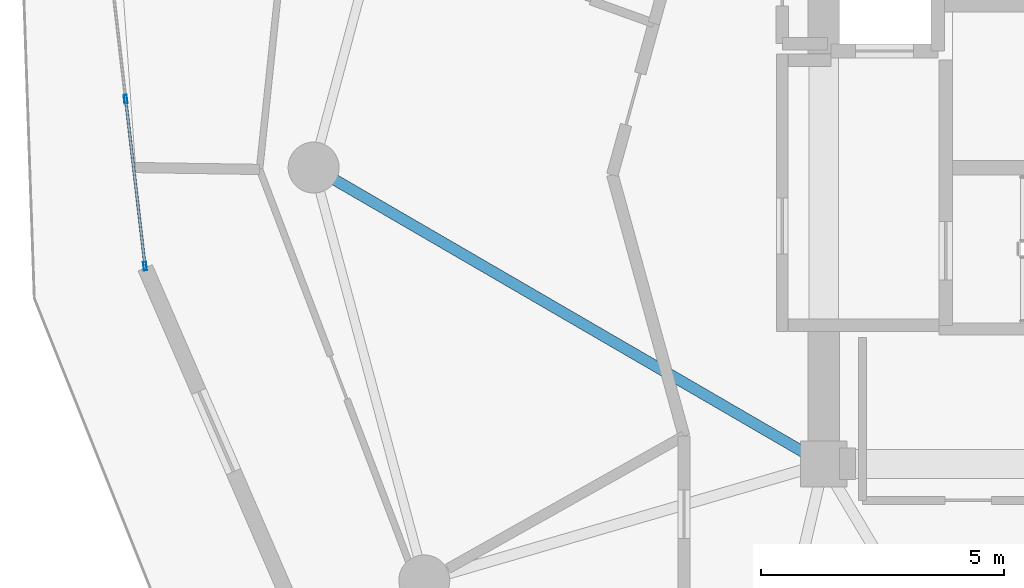
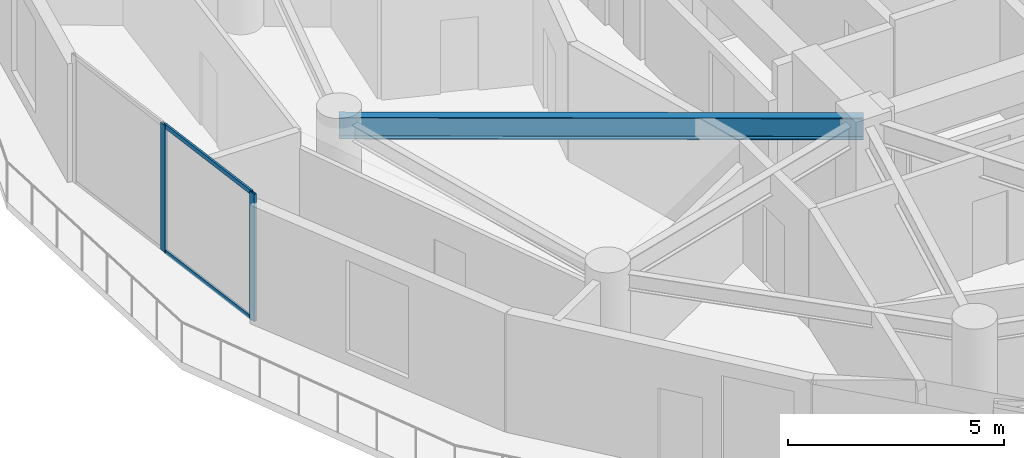
# One storey, part 5 of 21: 4 members, 1 beam, 1 element without a shape of its own.
"""IFC4 building model written with IfcOpenShell, lengths in metres."""

import ifcopenshell
import ifcopenshell.guid

model = None  # the IFC model being written
_history = None  # IfcOwnerHistory: only IFC2X3 demands one
_inside = {}  # id of a spatial element -> (the spatial element, [elements in it])
_under = {}  # id of a project, library or spatial element -> (it, [spatial elements below it])
_declared = {}  # id of a project -> (the project, [libraries it declares])
_typed = {}  # id of a type object -> (the type object, [elements of that type])
_made_of = {}  # id of a material, layer set ... -> (it, [elements and type objects made of it])


def new_model(schema):
    """Start an empty IFC model of exactly this schema.

    Asked for "IFC4X3", IfcOpenShell would pick the latest addendum, in which some entities
    have other attributes; the version numbers below select the first issue.
    IFC2X3 requires an IfcOwnerHistory on every rooted entity: one is made here for all.
    """
    global model, _history
    if schema == "IFC4X3":
        model = ifcopenshell.file(schema_version=(4, 3, 0, 0))
    else:
        model = ifcopenshell.file(schema=schema)
    _inside.clear()
    _under.clear()
    _declared.clear()
    _typed.clear()
    _made_of.clear()
    _history = None
    if model.schema == "IFC2X3":
        org = make("IfcOrganization", Name="unknown")
        user = make(
            "IfcPersonAndOrganization",
            ThePerson=make("IfcPerson", FamilyName="unknown"),
            TheOrganization=org,
        )
        app = make(
            "IfcApplication",
            ApplicationDeveloper=org,
            Version="unknown",
            ApplicationFullName="unknown",
            ApplicationIdentifier="unknown",
        )
        _history = make(
            "IfcOwnerHistory",
            OwningUser=user,
            OwningApplication=app,
            ChangeAction="ADDED",
            CreationDate=0,
        )
    return model


def make(cls, **values):
    """One entity of the class cls with the attributes given. An attribute that is None is left unset."""
    return model.create_entity(
        cls, **{name: value for name, value in values.items() if value is not None}
    )


def rooted(cls, **values):
    """An entity with a GlobalId (a new one), such as an element, a storey or a relation."""
    return make(cls, GlobalId=ifcopenshell.guid.new(), OwnerHistory=_history, **values)


def si_unit(unit_type, name, prefix=None):
    """IfcSIUnit, for example si_unit("LENGTHUNIT", "METRE", prefix="MILLI")."""
    return make("IfcSIUnit", UnitType=unit_type, Prefix=prefix, Name=name)


def assignment(units):
    """IfcUnitAssignment: the units of a project."""
    return None if units is None else make("IfcUnitAssignment", Units=units)


def point(xyz):
    """IfcCartesianPoint."""
    return None if xyz is None else make("IfcCartesianPoint", Coordinates=xyz)


def direction(xyz):
    """IfcDirection."""
    return None if xyz is None else make("IfcDirection", DirectionRatios=xyz)


def frame(location, z_axis=None, x_axis=None):
    """IfcAxis2Placement3D, a coordinate frame: its origin and axes. An axis left out is left unset."""
    return make(
        "IfcAxis2Placement3D",
        Location=point(location),
        Axis=direction(z_axis),
        RefDirection=direction(x_axis),
    )


def frame_2d(location, x_axis=None):
    """IfcAxis2Placement2D, a coordinate frame in the plane: its origin and x axis."""
    return make(
        "IfcAxis2Placement2D", Location=point(location), RefDirection=direction(x_axis)
    )


def origin():
    """The frame at (0, 0, 0) with its axes left unset."""
    return frame((0.0, 0.0, 0.0))


def origin_2d():
    """The frame at (0, 0) in the plane with its x axis left unset."""
    return frame_2d((0.0, 0.0))


def place(relative_to, where):
    """IfcLocalPlacement: puts the frame where relative to a parent placement (None: the world)."""
    return make(
        "IfcLocalPlacement", PlacementRelTo=relative_to, RelativePlacement=where
    )


def context(
    kind, dimensions, precision=None, world=None, true_north=None, identifier=None
):
    """IfcGeometricRepresentationContext, for example the 3D "Model" context."""
    return make(
        "IfcGeometricRepresentationContext",
        ContextIdentifier=identifier,
        ContextType=kind,
        CoordinateSpaceDimension=dimensions,
        Precision=precision,
        WorldCoordinateSystem=world,
        TrueNorth=true_north,
    )


def subcontext(parent, identifier, kind, view, scale=None):
    """IfcGeometricRepresentationSubContext, for example "Body" below "Model"."""
    return make(
        "IfcGeometricRepresentationSubContext",
        ContextIdentifier=identifier,
        ContextType=kind,
        ParentContext=parent,
        TargetScale=scale,
        TargetView=view,
    )


def project(units=None, contexts=None):
    """IfcProject with its units and contexts."""
    return rooted(
        "IfcProject",
        Name="project",
        RepresentationContexts=contexts,
        UnitsInContext=assignment(units),
    )


def spatial(cls, under=None, at=None, **own):
    """A site, building, storey or space (cls), placed at a placement, below another one or the project."""
    s = rooted(cls, ObjectPlacement=at, **own)
    if under is not None:
        _under.setdefault(under.id(), (under, []))[1].append(s)
    return s


def profile(cls, at=None, kind="AREA", **sizes):
    """A parametric profile (cls). Its sizes go by their IFC names, for example OverallWidth=200.0."""
    return make(cls, ProfileType=kind, Position=at, **sizes)


def hollow_rectangle(**sizes):
    """IfcRectangleHollowProfileDef."""
    return profile("IfcRectangleHollowProfileDef", **sizes)


def i_section(**sizes):
    """IfcIShapeProfileDef."""
    return profile("IfcIShapeProfileDef", **sizes)


def extrude(swept, where, along, depth):
    """IfcExtrudedAreaSolid: the profile swept, set in the frame where, extruded along a direction by depth."""
    return make(
        "IfcExtrudedAreaSolid",
        SweptArea=swept,
        Position=where,
        ExtrudedDirection=direction(along),
        Depth=depth,
    )


def shape(context_of_items, identifier, shape_type, items):
    """IfcShapeRepresentation: the items that make up one representation, for example the "Body"."""
    return make(
        "IfcShapeRepresentation",
        ContextOfItems=context_of_items,
        RepresentationIdentifier=identifier,
        RepresentationType=shape_type,
        Items=items,
    )


def source(mapping_origin, context_of_items, identifier, shape_type, items):
    """IfcRepresentationMap: a shape defined once, which mapped items show again and again."""
    return make(
        "IfcRepresentationMap",
        MappingOrigin=mapping_origin,
        MappedRepresentation=shape(context_of_items, identifier, shape_type, items),
    )


def transform(
    local_origin,
    x_axis=None,
    y_axis=None,
    z_axis=None,
    scale=None,
    scale2=None,
    scale3=None,
    uniform=True,
):
    """IfcCartesianTransformationOperator3D, or its non-uniform kind. x_axis, y_axis, z_axis: its Axis1, 2, 3."""
    if uniform:
        return make(
            "IfcCartesianTransformationOperator3D",
            Axis1=direction(x_axis),
            Axis2=direction(y_axis),
            LocalOrigin=point(local_origin),
            Scale=scale,
            Axis3=direction(z_axis),
        )
    return make(
        "IfcCartesianTransformationOperator3DnonUniform",
        Axis1=direction(x_axis),
        Axis2=direction(y_axis),
        LocalOrigin=point(local_origin),
        Scale=scale,
        Axis3=direction(z_axis),
        Scale2=scale2,
        Scale3=scale3,
    )


def mapped(mapping_source, mapping_target):
    """IfcMappedItem: shows the shape of a source again, moved by a transform."""
    return make(
        "IfcMappedItem", MappingSource=mapping_source, MappingTarget=mapping_target
    )


def material(Name=None, Category=None):
    """IfcMaterial."""
    return make("IfcMaterial", Name=Name, Category=Category)


def layer(
    of_material, thickness, ventilated=None, Name=None, Category=None, Priority=None
):
    """IfcMaterialLayer: one layer of a wall or slab, of a material (None: an air gap)."""
    return make(
        "IfcMaterialLayer",
        Material=of_material,
        LayerThickness=thickness,
        IsVentilated=ventilated,
        Name=Name,
        Category=Category,
        Priority=Priority,
    )


def layer_set(layers, Name=None):
    """IfcMaterialLayerSet."""
    return make("IfcMaterialLayerSet", MaterialLayers=layers, LayerSetName=Name)


def material_profile(
    of_material, cross_section, Name=None, Category=None, Priority=None
):
    """IfcMaterialProfile: a cross section and its material."""
    return make(
        "IfcMaterialProfile",
        Name=Name,
        Material=of_material,
        Profile=cross_section,
        Priority=Priority,
        Category=Category,
    )


def profile_set(profiles, Name=None, composite=None):
    """IfcMaterialProfileSet."""
    return make(
        "IfcMaterialProfileSet",
        Name=Name,
        MaterialProfiles=profiles,
        CompositeProfile=composite,
    )


def made_of(thing, what):
    """Note that an element or type object is made of a material, layer set ...; save() writes the relation."""
    if what is not None:
        _made_of.setdefault(what.id(), (what, []))[1].append(thing)
    return thing


def type_object(cls, material=None, **own):
    """A type object (cls), such as IfcWallType, which elements share."""
    return made_of(rooted(cls, **own), material)


def element(
    cls,
    number,
    at=None,
    inside=None,
    cuts=None,
    type_object=None,
    material=None,
    context=None,
    identifier="Body",
    shape_type=None,
    held_by="IfcProductDefinitionShape",
    body=None,
    shapes=None,
    **own,
):
    """One element of the class cls, such as IfcWall. Its Tag is "e" and its number.

    at: its placement. inside: the storey or other place that contains it. cuts: it is an
    opening in that element (IfcRelVoidsElement). A single representation is given by context,
    identifier, shape_type and body (its items); several are given by shapes. held_by: the class
    of the entity that holds the representations. save() writes the other relations.
    """
    e = rooted(cls, Tag="e%d" % number, ObjectPlacement=at, **own)
    if body is not None:
        shapes = [shape(context, identifier, shape_type, body)]
    if shapes is not None:
        e.Representation = make(held_by, Representations=shapes)
    if inside is not None:
        _inside.setdefault(inside.id(), (inside, []))[1].append(e)
    if cuts is not None:
        rooted(
            "IfcRelVoidsElement", RelatingBuildingElement=cuts, RelatedOpeningElement=e
        )
    if type_object is not None:
        _typed.setdefault(type_object.id(), (type_object, []))[1].append(e)
    return made_of(e, material)


def aggregate(whole, parts):
    """IfcRelAggregates: a whole, such as a stair, and the parts it consists of."""
    return rooted("IfcRelAggregates", RelatingObject=whole, RelatedObjects=parts)


def save(model, path):
    """Write the relations noted so far, then the file.

    IfcRelAggregates (storeys below a building ...), IfcRelContainedInSpatialStructure (elements
    in a storey), IfcRelDefinesByType, IfcRelAssociatesMaterial and IfcRelDeclares: one each for
    every whole, place, type object, material and project.
    """
    for whole, parts in _under.values():
        aggregate(whole, parts)
    for where, things in _inside.values():
        rooted(
            "IfcRelContainedInSpatialStructure",
            RelatedElements=things,
            RelatingStructure=where,
        )
    for kind, things in _typed.values():
        rooted("IfcRelDefinesByType", RelatedObjects=things, RelatingType=kind)
    for what, things in _made_of.values():
        rooted("IfcRelAssociatesMaterial", RelatedObjects=things, RelatingMaterial=what)
    for by, libraries in _declared.values():
        rooted("IfcRelDeclares", RelatingContext=by, RelatedDefinitions=libraries)
    model.write(path)


model = new_model("IFC4")

# Units and contexts
model_context = context("Model", 3, precision=1e-05, world=origin(), true_north=direction((0.0, 1.0)))
body_context = subcontext(model_context, "Body", "Model", "MODEL_VIEW")
ifc_project = project(units=[si_unit("LENGTHUNIT", "METRE"), si_unit("AREAUNIT", "SQUARE_METRE"), si_unit("VOLUMEUNIT", "CUBIC_METRE"), si_unit("PLANEANGLEUNIT", "RADIAN"), si_unit("MASSUNIT", "GRAM", prefix="KILO")], contexts=[model_context])

# Site, building, storey
site_placement = place(None, origin())
site = spatial("IfcSite", under=ifc_project, at=site_placement, CompositionType="ELEMENT")
building_placement = place(site_placement, origin())
building = spatial("IfcBuilding", under=site, at=building_placement, Name="Solvirekh Grand Hotel", CompositionType="ELEMENT")
storey_placement = place(building_placement, frame((0.0, 0.0, 142.199951171875)))
storey = spatial("IfcBuildingStorey", under=building, at=storey_placement, Name="L36", CompositionType="ELEMENT", Elevation=142.199951171875)

# Beam
ifc_material_1 = material(Name="Steel S355", Category="steel")
ifc_material_profile_1 = material_profile(ifc_material_1, i_section(OverallWidth=0.22802734375, OverallDepth=0.616943359375, WebThickness=0.012939453125, FlangeThickness=0.02001953125, FilletRadius=0.014892578125, at=origin_2d()), Name="W610X140")
ifc_profile_set_1 = profile_set([ifc_material_profile_1], Name="Steel S355")
beam_type = type_object("IfcBeamType", Name="Beam_Radial_W610", PredefinedType="BEAM", material=ifc_profile_set_1)
beam_placement = place(storey_placement, frame((-6.5, -6.10009765625, 3.0419921875), z_axis=(-0.864670076815, 0.50234018181, 0.0), x_axis=(-0.50234018181, -0.864670076815, 0.0)))
element("IfcBeam", 1, at=beam_placement, inside=storey, type_object=beam_type, Name="L36 radial floor beam R07", PredefinedType="BEAM", context=body_context, shape_type="SweptSolid", body=[
    extrude(i_section(OverallWidth=0.22802734375, OverallDepth=0.616943359375, WebThickness=0.012939453125, FlangeThickness=0.02001953125, FilletRadius=0.014892578125, at=origin_2d()), origin(), (0.0, 0.0, 1.0), 12.143310546875),
])

# Curtain wall, members
ifc_material_2 = material(Name="Anodized Bronze Aluminium 6063-T6", Category="aluminium")
ifc_layer = layer(ifc_material_2, 0.175048828125)
ifc_layer_set = layer_set([ifc_layer], Name="Anodized Bronze Aluminium 6063-T6")
curtain_wall_type = type_object("IfcCurtainWallType", Name="CW_Sys3_MidZoneFlushBronzeCW", PredefinedType="NOTDEFINED", material=ifc_layer_set)
curtain_wall_placement = place(storey_placement, origin())
curtain_wall = element("IfcCurtainWall", 2, at=curtain_wall_placement, inside=storey, type_object=curtain_wall_type, Name="L36 unitised bronze-glass curtain wall CW-L36-C13", PredefinedType="NOTDEFINED")
ifc_material_profile_2 = material_profile(ifc_material_2, hollow_rectangle(XDim=0.06494140625, YDim=0.175048828125, WallThickness=0.0048828125, at=origin_2d()), Name="ALU RHS 175X65X5")
ifc_profile_set_2 = profile_set([ifc_material_profile_2], Name="Anodized Bronze Aluminium 6063-T6")
member_type_1 = type_object("IfcMemberType", Name="CWMullion_Sys3", PredefinedType="MULLION", material=ifc_profile_set_2)
shared_shape_1 = source(origin(), body_context, "Body", "SweptSolid", [
    extrude(hollow_rectangle(XDim=0.06494140625, YDim=0.175048828125, WallThickness=0.0048828125, at=origin_2d()), origin(), (0.0, 0.0, 1.0), 3.60009765625),
])
member_1_placement = place(storey_placement, frame((-20.869384765625, 1.407470703125, 0.0), z_axis=(0.0, 0.0, 1.0), x_axis=(0.993345498813, 0.115172566124, 0.0)))
member_1 = element("IfcMember", 3, at=member_1_placement, type_object=member_type_1, Name="U03 mullion 2", PredefinedType="MULLION", context=body_context, shape_type="MappedRepresentation", body=[
    mapped(shared_shape_1, transform((0.0, 0.0, 0.0), x_axis=(1.0, 0.0, 0.0), y_axis=(0.0, 1.0, 0.0), z_axis=(0.0, 0.0, 1.0), scale=1.0)),
])
member_2_placement = place(storey_placement, frame((-20.470703125, -2.03173828125, 0.0), z_axis=(0.0, 0.0, 1.0), x_axis=(0.993345498813, 0.115172566124, 0.0)))
member_2 = element("IfcMember", 4, at=member_2_placement, type_object=member_type_1, Name="U03 mullion 3", PredefinedType="MULLION", context=body_context, shape_type="MappedRepresentation", body=[
    mapped(shared_shape_1, transform((0.0, 0.0, 0.0), x_axis=(1.0, 0.0, 0.0), y_axis=(0.0, 1.0, 0.0), z_axis=(0.0, 0.0, 1.0), scale=1.0)),
])
ifc_material_profile_3 = material_profile(ifc_material_2, hollow_rectangle(XDim=0.054931640625, YDim=0.1201171875, WallThickness=0.00390625, at=origin_2d()), Name="ALU RHS 120X55X4")
ifc_profile_set_3 = profile_set([ifc_material_profile_3], Name="Anodized Bronze Aluminium 6063-T6")
member_type_2 = type_object("IfcMemberType", Name="CWTransom_Sys3", PredefinedType="USERDEFINED", material=ifc_profile_set_3)
shared_shape_2 = source(origin(), body_context, "Body", "SweptSolid", [
    extrude(hollow_rectangle(XDim=0.054931640625, YDim=0.1201171875, WallThickness=0.00390625, at=origin_2d()), origin(), (0.0, 0.0, 1.0), 3.3974609375),
])
member_3_placement = place(storey_placement, frame((-20.86572265625, 1.375244140625, 0.027587890625), z_axis=(0.115194156226, -0.99334299533, 0.0), x_axis=(0.99334299533, 0.115194156226, 0.0)))
member_3 = element("IfcMember", 5, at=member_3_placement, type_object=member_type_2, Name="U03 transom 2.1", ObjectType="TRANSOM", PredefinedType="USERDEFINED", context=body_context, shape_type="MappedRepresentation", body=[
    mapped(shared_shape_2, transform((0.0, 0.0, 0.0), x_axis=(1.0, 0.0, 0.0), y_axis=(0.0, 1.0, 0.0), z_axis=(0.0, 0.0, 1.0), scale=1.0)),
])
member_4_placement = place(storey_placement, frame((-20.86572265625, 1.375244140625, 3.572509765625), z_axis=(0.115194156226, -0.99334299533, 0.0), x_axis=(0.99334299533, 0.115194156226, 0.0)))
member_4 = element("IfcMember", 6, at=member_4_placement, type_object=member_type_2, Name="U03 transom 2.2", ObjectType="TRANSOM", PredefinedType="USERDEFINED", context=body_context, shape_type="MappedRepresentation", body=[
    mapped(shared_shape_2, transform((0.0, 0.0, 0.0), x_axis=(1.0, 0.0, 0.0), y_axis=(0.0, 1.0, 0.0), z_axis=(0.0, 0.0, 1.0), scale=1.0)),
])
aggregate(curtain_wall, [member_1, member_2, member_3, member_4])

save(model, "model.ifc")
